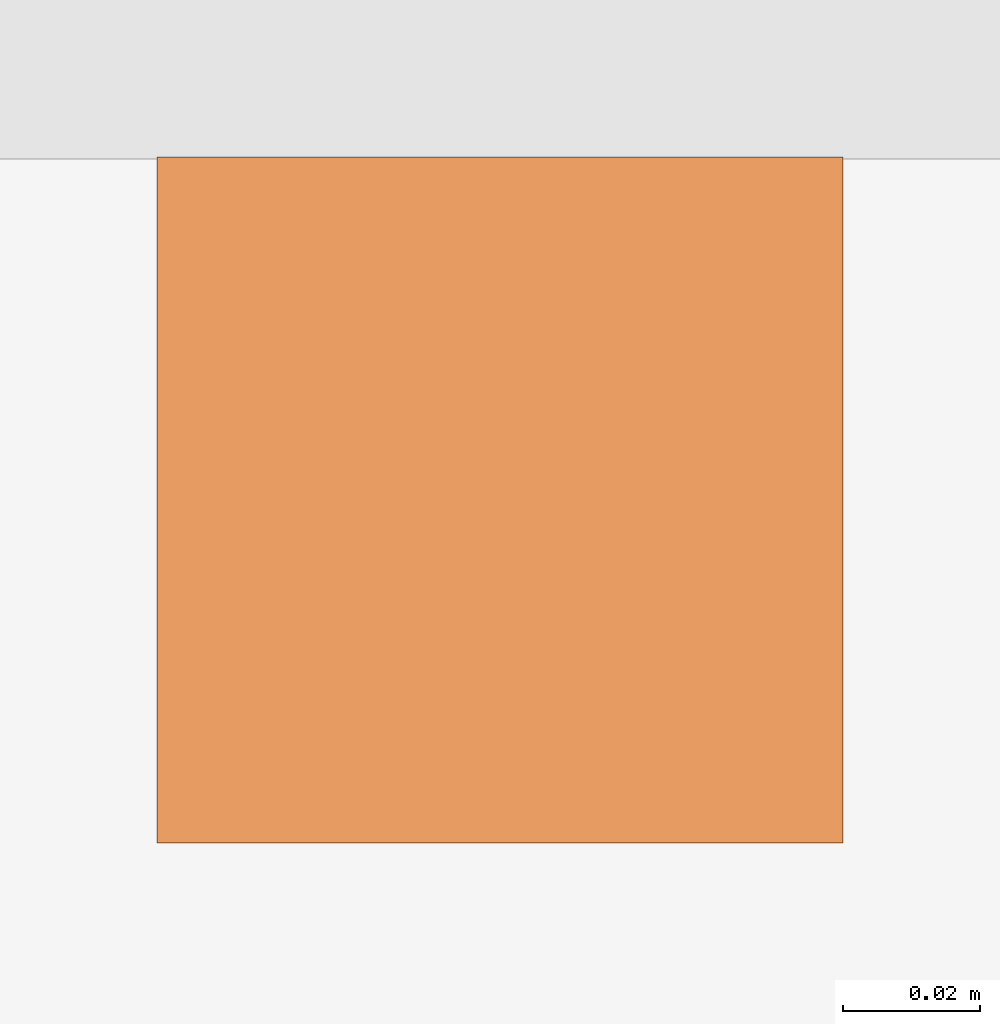
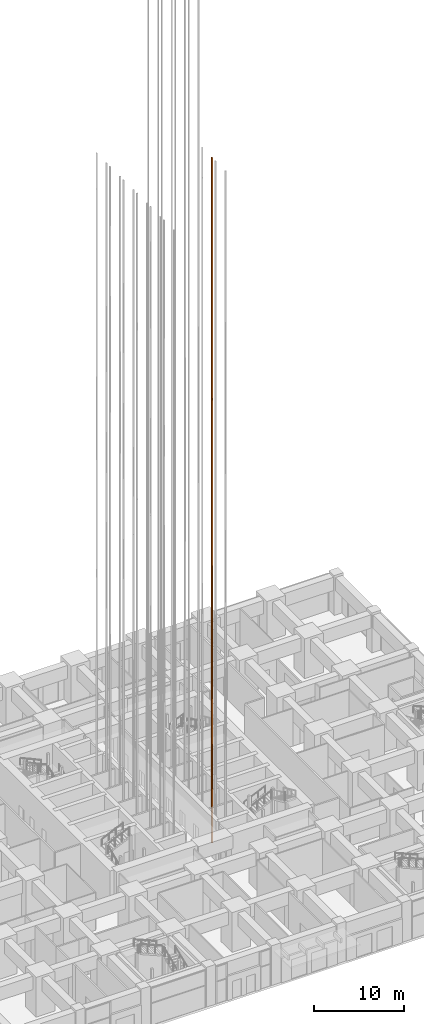
# One storey, part 64 of 81: 1 proxy.
"""IFC4 building model written with IfcOpenShell, lengths in metres."""

from ifc_helpers import new_model, si_unit, direction, frame, origin, origin_2d, place, context, subcontext, project, spatial, rectangle, extrude, material, type_object, element, save


model = new_model("IFC4")

# Units and contexts
model_context = context("Model", 3, precision=1e-05, world=origin(), true_north=direction((0.0, 1.0)))
body_context = subcontext(model_context, "Body", "Model", "MODEL_VIEW")
ifc_project = project(units=[si_unit("LENGTHUNIT", "METRE"), si_unit("AREAUNIT", "SQUARE_METRE"), si_unit("VOLUMEUNIT", "CUBIC_METRE"), si_unit("PLANEANGLEUNIT", "RADIAN"), si_unit("MASSUNIT", "GRAM", prefix="KILO")], contexts=[model_context])

# Site, building, storey
site_placement = place(None, origin())
site = spatial("IfcSite", under=ifc_project, at=site_placement, CompositionType="ELEMENT")
building_placement = place(site_placement, origin())
building = spatial("IfcBuilding", under=site, at=building_placement, Name="Rekha Terrace Tower", CompositionType="ELEMENT")
storey_placement = place(building_placement, origin())
storey = spatial("IfcBuildingStorey", under=building, at=storey_placement, Name="L00", CompositionType="ELEMENT", Elevation=0.0)

# Proxy
ifc_material = material(Name="Steel guide rail", Category="steel")
building_element_proxy_type = type_object("IfcBuildingElementProxyType", Name="LR1 100 lift guide rail", PredefinedType="ELEMENT", material=ifc_material)
proxy_placement = place(storey_placement, frame((41.14990234375, 26.800048828125, 0.0), z_axis=(0.0, 0.0, 1.0), x_axis=(1.0, 0.0, 0.0)))
element("IfcBuildingElementProxy", 1, at=proxy_placement, inside=storey, type_object=building_element_proxy_type, Name="Lift SH2 guide rail 1", PredefinedType="ELEMENT", context=body_context, shape_type="SweptSolid", body=[
    extrude(rectangle(XDim=0.10009765625, YDim=0.10009765625, at=origin_2d()), origin(), (0.0, 0.0, 1.0), 93.199951171875),
])

save(model, "model.ifc")
